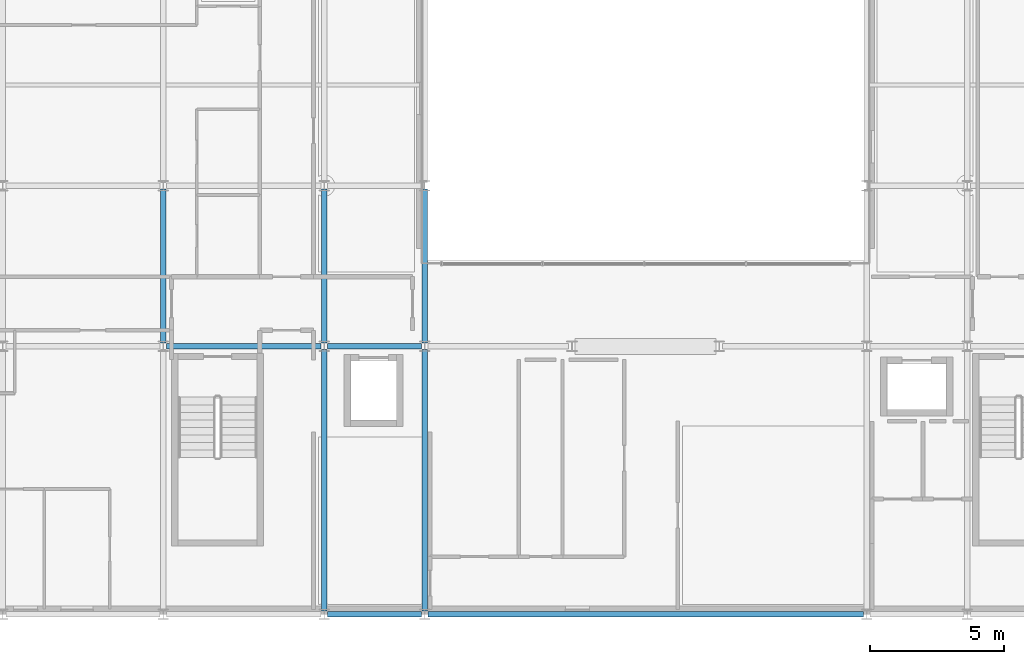
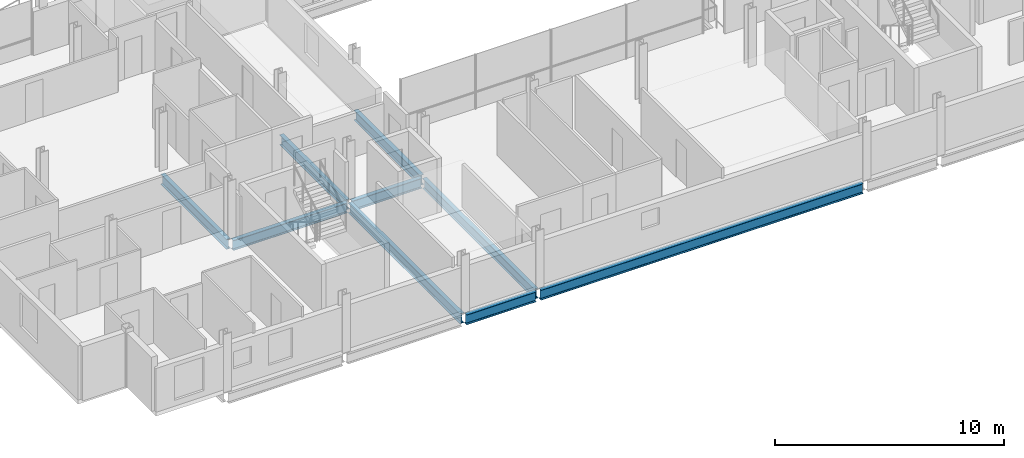
# One storey, part 4 of 38: 9 beams.
"""IFC4 building model written with IfcOpenShell, lengths in metres."""

from ifc_helpers import new_model, si_unit, direction, frame, origin, origin_2d, place, context, subcontext, project, spatial, i_section, extrude, material, material_profile, profile_set, type_object, element, save


model = new_model("IFC4")

# Units and contexts
model_context = context("Model", 3, precision=1e-05, world=origin(), true_north=direction((0.0, 1.0)))
body_context = subcontext(model_context, "Body", "Model", "MODEL_VIEW")
ifc_project = project(units=[si_unit("LENGTHUNIT", "METRE"), si_unit("AREAUNIT", "SQUARE_METRE"), si_unit("VOLUMEUNIT", "CUBIC_METRE"), si_unit("PLANEANGLEUNIT", "RADIAN"), si_unit("MASSUNIT", "GRAM", prefix="KILO")], contexts=[model_context])

# Site, building, storey
site_placement = place(None, origin())
site = spatial("IfcSite", under=ifc_project, at=site_placement, CompositionType="ELEMENT")
building_placement = place(site_placement, origin())
building = spatial("IfcBuilding", under=site, at=building_placement, Name="Brevholm Reach", CompositionType="ELEMENT")
storey_placement = place(building_placement, frame((0.0, 0.0, 186.300048828125)))
storey = spatial("IfcBuildingStorey", under=building, at=storey_placement, Name="L56", CompositionType="ELEMENT", Elevation=186.300048828125)

# Beams
ifc_material_1 = material(Name="Structural Steel S355J2", Category="steel")
ifc_material_profile_1 = material_profile(ifc_material_1, i_section(OverallWidth=0.209228515625, OverallDepth=0.533203125, WebThickness=0.010009765625, FlangeThickness=0.015625, FilletRadius=0.0126953125, at=origin_2d()), Name="UKB 533x210x92")
ifc_profile_set_1 = profile_set([ifc_material_profile_1], Name="Structural Steel S355J2")
beam_type_1 = type_object("IfcBeamType", Name="BM-SP533", PredefinedType="SPANDREL", material=ifc_profile_set_1)
beam_1_placement = place(storey_placement, frame((18.1201171875, 0.0, -0.4765625), z_axis=(1.0, 0.0, 0.0), x_axis=(0.0, 1.0, 0.0)))
element("IfcBeam", 1, at=beam_1_placement, inside=storey, type_object=beam_type_1, Name="L56 SP-02 Framing Beam", PredefinedType="SPANDREL", context=body_context, shape_type="SweptSolid", body=[
    extrude(i_section(OverallWidth=0.209228515625, OverallDepth=0.533203125, WebThickness=0.010009765625, FlangeThickness=0.015625, FilletRadius=0.0126953125, at=origin_2d()), origin(), (0.0, 0.0, 1.0), 3.509765625),
])
beam_2_placement = place(storey_placement, frame((21.8701171875, 0.0, -0.4765625), z_axis=(1.0, 0.0, 0.0), x_axis=(0.0, 1.0, 0.0)))
element("IfcBeam", 2, at=beam_2_placement, inside=storey, type_object=beam_type_1, Name="L56 SP-02 Framing Beam", PredefinedType="SPANDREL", context=body_context, shape_type="SweptSolid", body=[
    extrude(i_section(OverallWidth=0.209228515625, OverallDepth=0.533203125, WebThickness=0.010009765625, FlangeThickness=0.015625, FilletRadius=0.0126953125, at=origin_2d()), origin(), (0.0, 0.0, 1.0), 16.259765625),
])
ifc_material_2 = material(Name="Structural Steel S355J2", Category="steel")
ifc_material_profile_2 = material_profile(ifc_material_2, i_section(OverallWidth=0.210693359375, OverallDepth=0.53955078125, WebThickness=0.01171875, FlangeThickness=0.018798828125, FilletRadius=0.0126953125, at=origin_2d()), Name="UKB 533x210x109")
ifc_profile_set_2 = profile_set([ifc_material_profile_2], Name="Structural Steel S355J2")
beam_type_2 = type_object("IfcBeamType", Name="BM-SP539", PredefinedType="SPANDREL", material=ifc_profile_set_2)
beam_3_placement = place(storey_placement, frame((12.1201171875, 10.0, -0.479736328125), z_axis=(1.0, 0.0, 0.0), x_axis=(0.0, 1.0, 0.0)))
element("IfcBeam", 3, at=beam_3_placement, inside=storey, type_object=beam_type_2, Name="L56 SP-01B Framing Beam", PredefinedType="SPANDREL", context=body_context, shape_type="SweptSolid", body=[
    extrude(i_section(OverallWidth=0.210693359375, OverallDepth=0.53955078125, WebThickness=0.01171875, FlangeThickness=0.018798828125, FilletRadius=0.0126953125, at=origin_2d()), origin(), (0.0, 0.0, 1.0), 5.759765625),
])
beam_4_placement = place(storey_placement, frame((18.1201171875, 10.0, -0.479736328125), z_axis=(1.0, 0.0, 0.0), x_axis=(0.0, 1.0, 0.0)))
element("IfcBeam", 4, at=beam_4_placement, inside=storey, type_object=beam_type_2, Name="L56 SP-01B Framing Beam", PredefinedType="SPANDREL", context=body_context, shape_type="SweptSolid", body=[
    extrude(i_section(OverallWidth=0.210693359375, OverallDepth=0.53955078125, WebThickness=0.01171875, FlangeThickness=0.018798828125, FilletRadius=0.0126953125, at=origin_2d()), origin(), (0.0, 0.0, 1.0), 3.509765625),
])
beam_5_placement = place(storey_placement, frame((12.0, 10.1201171875, -0.479736328125), z_axis=(0.0, 1.0, 0.0), x_axis=(-1.0, 0.0, 0.0)))
element("IfcBeam", 5, at=beam_5_placement, inside=storey, type_object=beam_type_2, Name="L56 SP-01B Framing Beam", PredefinedType="SPANDREL", context=body_context, shape_type="SweptSolid", body=[
    extrude(i_section(OverallWidth=0.210693359375, OverallDepth=0.53955078125, WebThickness=0.01171875, FlangeThickness=0.018798828125, FilletRadius=0.0126953125, at=origin_2d()), origin(), (0.0, 0.0, 1.0), 5.759765625),
])
beam_6_placement = place(storey_placement, frame((18.0, 0.1201171875, -0.479736328125), z_axis=(0.0, 1.0, 0.0), x_axis=(-1.0, 0.0, 0.0)))
element("IfcBeam", 6, at=beam_6_placement, inside=storey, type_object=beam_type_2, Name="L56 SP-01B Framing Beam", PredefinedType="SPANDREL", context=body_context, shape_type="SweptSolid", body=[
    extrude(i_section(OverallWidth=0.210693359375, OverallDepth=0.53955078125, WebThickness=0.01171875, FlangeThickness=0.018798828125, FilletRadius=0.0126953125, at=origin_2d()), origin(), (0.0, 0.0, 1.0), 9.759765625),
])
beam_7_placement = place(storey_placement, frame((18.0, 10.1201171875, -0.479736328125), z_axis=(0.0, 1.0, 0.0), x_axis=(-1.0, 0.0, 0.0)))
element("IfcBeam", 7, at=beam_7_placement, inside=storey, type_object=beam_type_2, Name="L56 SP-01B Framing Beam", PredefinedType="SPANDREL", context=body_context, shape_type="SweptSolid", body=[
    extrude(i_section(OverallWidth=0.210693359375, OverallDepth=0.53955078125, WebThickness=0.01171875, FlangeThickness=0.018798828125, FilletRadius=0.0126953125, at=origin_2d()), origin(), (0.0, 0.0, 1.0), 5.759765625),
])
beam_8_placement = place(storey_placement, frame((21.75, 0.1201171875, -0.479736328125), z_axis=(0.0, 1.0, 0.0), x_axis=(-1.0, 0.0, 0.0)))
element("IfcBeam", 8, at=beam_8_placement, inside=storey, type_object=beam_type_2, Name="L56 SP-01B Framing Beam", PredefinedType="SPANDREL", context=body_context, shape_type="SweptSolid", body=[
    extrude(i_section(OverallWidth=0.210693359375, OverallDepth=0.53955078125, WebThickness=0.01171875, FlangeThickness=0.018798828125, FilletRadius=0.0126953125, at=origin_2d()), origin(), (0.0, 0.0, 1.0), 9.759765625),
])
beam_9_placement = place(storey_placement, frame((21.75, 10.1201171875, -0.479736328125), z_axis=(0.0, 1.0, 0.0), x_axis=(-1.0, 0.0, 0.0)))
element("IfcBeam", 9, at=beam_9_placement, inside=storey, type_object=beam_type_2, Name="L56 SP-01B Framing Beam", PredefinedType="SPANDREL", context=body_context, shape_type="SweptSolid", body=[
    extrude(i_section(OverallWidth=0.210693359375, OverallDepth=0.53955078125, WebThickness=0.01171875, FlangeThickness=0.018798828125, FilletRadius=0.0126953125, at=origin_2d()), origin(), (0.0, 0.0, 1.0), 5.759765625),
])

save(model, "model.ifc")
